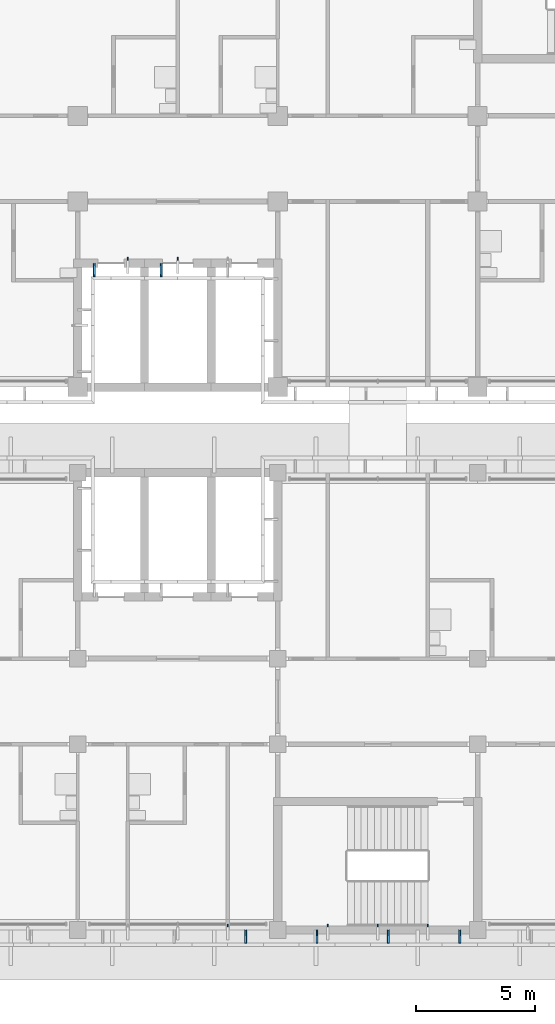
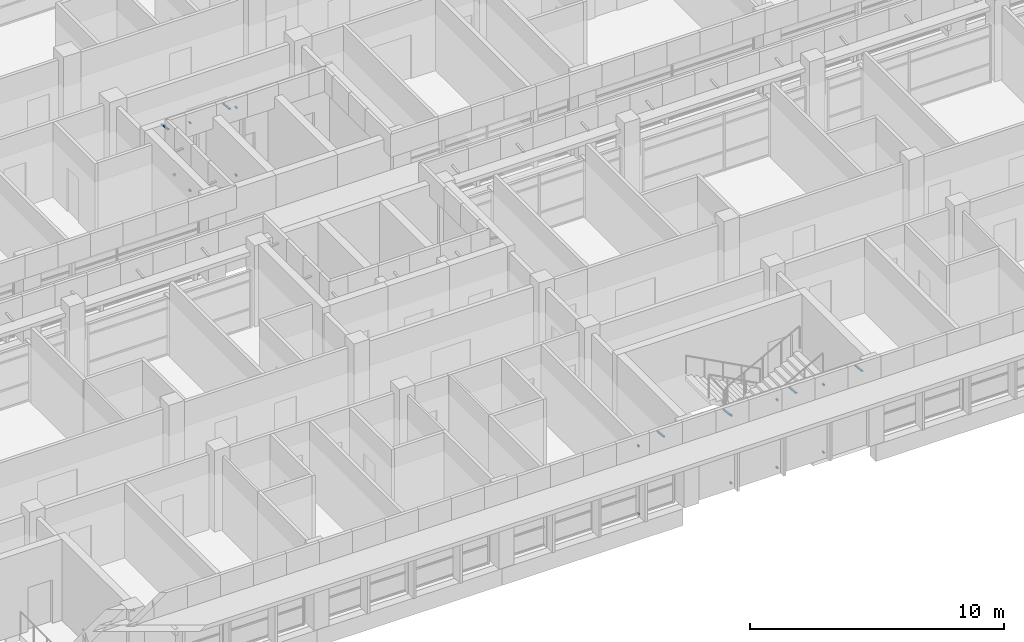
# One storey, part 45 of 71: 18 discrete accessories.
"""IFC4 building model written with IfcOpenShell, lengths in metres."""

import ifcopenshell
import ifcopenshell.guid

model = None  # the IFC model being written
_history = None  # IfcOwnerHistory: only IFC2X3 demands one
_inside = {}  # id of a spatial element -> (the spatial element, [elements in it])
_under = {}  # id of a project, library or spatial element -> (it, [spatial elements below it])
_declared = {}  # id of a project -> (the project, [libraries it declares])
_typed = {}  # id of a type object -> (the type object, [elements of that type])
_made_of = {}  # id of a material, layer set ... -> (it, [elements and type objects made of it])


def new_model(schema):
    """Start an empty IFC model of exactly this schema.

    Asked for "IFC4X3", IfcOpenShell would pick the latest addendum, in which some entities
    have other attributes; the version numbers below select the first issue.
    IFC2X3 requires an IfcOwnerHistory on every rooted entity: one is made here for all.
    """
    global model, _history
    if schema == "IFC4X3":
        model = ifcopenshell.file(schema_version=(4, 3, 0, 0))
    else:
        model = ifcopenshell.file(schema=schema)
    _inside.clear()
    _under.clear()
    _declared.clear()
    _typed.clear()
    _made_of.clear()
    _history = None
    if model.schema == "IFC2X3":
        org = make("IfcOrganization", Name="unknown")
        user = make(
            "IfcPersonAndOrganization",
            ThePerson=make("IfcPerson", FamilyName="unknown"),
            TheOrganization=org,
        )
        app = make(
            "IfcApplication",
            ApplicationDeveloper=org,
            Version="unknown",
            ApplicationFullName="unknown",
            ApplicationIdentifier="unknown",
        )
        _history = make(
            "IfcOwnerHistory",
            OwningUser=user,
            OwningApplication=app,
            ChangeAction="ADDED",
            CreationDate=0,
        )
    return model


def make(cls, **values):
    """One entity of the class cls with the attributes given. An attribute that is None is left unset."""
    return model.create_entity(
        cls, **{name: value for name, value in values.items() if value is not None}
    )


def rooted(cls, **values):
    """An entity with a GlobalId (a new one), such as an element, a storey or a relation."""
    return make(cls, GlobalId=ifcopenshell.guid.new(), OwnerHistory=_history, **values)


def si_unit(unit_type, name, prefix=None):
    """IfcSIUnit, for example si_unit("LENGTHUNIT", "METRE", prefix="MILLI")."""
    return make("IfcSIUnit", UnitType=unit_type, Prefix=prefix, Name=name)


def assignment(units):
    """IfcUnitAssignment: the units of a project."""
    return None if units is None else make("IfcUnitAssignment", Units=units)


def point(xyz):
    """IfcCartesianPoint."""
    return None if xyz is None else make("IfcCartesianPoint", Coordinates=xyz)


def direction(xyz):
    """IfcDirection."""
    return None if xyz is None else make("IfcDirection", DirectionRatios=xyz)


def frame(location, z_axis=None, x_axis=None):
    """IfcAxis2Placement3D, a coordinate frame: its origin and axes. An axis left out is left unset."""
    return make(
        "IfcAxis2Placement3D",
        Location=point(location),
        Axis=direction(z_axis),
        RefDirection=direction(x_axis),
    )


def frame_2d(location, x_axis=None):
    """IfcAxis2Placement2D, a coordinate frame in the plane: its origin and x axis."""
    return make(
        "IfcAxis2Placement2D", Location=point(location), RefDirection=direction(x_axis)
    )


def origin():
    """The frame at (0, 0, 0) with its axes left unset."""
    return frame((0.0, 0.0, 0.0))


def origin_2d():
    """The frame at (0, 0) in the plane with its x axis left unset."""
    return frame_2d((0.0, 0.0))


def place(relative_to, where):
    """IfcLocalPlacement: puts the frame where relative to a parent placement (None: the world)."""
    return make(
        "IfcLocalPlacement", PlacementRelTo=relative_to, RelativePlacement=where
    )


def context(
    kind, dimensions, precision=None, world=None, true_north=None, identifier=None
):
    """IfcGeometricRepresentationContext, for example the 3D "Model" context."""
    return make(
        "IfcGeometricRepresentationContext",
        ContextIdentifier=identifier,
        ContextType=kind,
        CoordinateSpaceDimension=dimensions,
        Precision=precision,
        WorldCoordinateSystem=world,
        TrueNorth=true_north,
    )


def subcontext(parent, identifier, kind, view, scale=None):
    """IfcGeometricRepresentationSubContext, for example "Body" below "Model"."""
    return make(
        "IfcGeometricRepresentationSubContext",
        ContextIdentifier=identifier,
        ContextType=kind,
        ParentContext=parent,
        TargetScale=scale,
        TargetView=view,
    )


def project(units=None, contexts=None):
    """IfcProject with its units and contexts."""
    return rooted(
        "IfcProject",
        Name="project",
        RepresentationContexts=contexts,
        UnitsInContext=assignment(units),
    )


def spatial(cls, under=None, at=None, **own):
    """A site, building, storey or space (cls), placed at a placement, below another one or the project."""
    s = rooted(cls, ObjectPlacement=at, **own)
    if under is not None:
        _under.setdefault(under.id(), (under, []))[1].append(s)
    return s


def profile(cls, at=None, kind="AREA", **sizes):
    """A parametric profile (cls). Its sizes go by their IFC names, for example OverallWidth=200.0."""
    return make(cls, ProfileType=kind, Position=at, **sizes)


def rectangle(**sizes):
    """IfcRectangleProfileDef."""
    return profile("IfcRectangleProfileDef", **sizes)


def extrude(swept, where, along, depth):
    """IfcExtrudedAreaSolid: the profile swept, set in the frame where, extruded along a direction by depth."""
    return make(
        "IfcExtrudedAreaSolid",
        SweptArea=swept,
        Position=where,
        ExtrudedDirection=direction(along),
        Depth=depth,
    )


def shape(context_of_items, identifier, shape_type, items):
    """IfcShapeRepresentation: the items that make up one representation, for example the "Body"."""
    return make(
        "IfcShapeRepresentation",
        ContextOfItems=context_of_items,
        RepresentationIdentifier=identifier,
        RepresentationType=shape_type,
        Items=items,
    )


def material(Name=None, Category=None):
    """IfcMaterial."""
    return make("IfcMaterial", Name=Name, Category=Category)


def material_profile(
    of_material, cross_section, Name=None, Category=None, Priority=None
):
    """IfcMaterialProfile: a cross section and its material."""
    return make(
        "IfcMaterialProfile",
        Name=Name,
        Material=of_material,
        Profile=cross_section,
        Priority=Priority,
        Category=Category,
    )


def profile_set(profiles, Name=None, composite=None):
    """IfcMaterialProfileSet."""
    return make(
        "IfcMaterialProfileSet",
        Name=Name,
        MaterialProfiles=profiles,
        CompositeProfile=composite,
    )


def made_of(thing, what):
    """Note that an element or type object is made of a material, layer set ...; save() writes the relation."""
    if what is not None:
        _made_of.setdefault(what.id(), (what, []))[1].append(thing)
    return thing


def type_object(cls, material=None, **own):
    """A type object (cls), such as IfcWallType, which elements share."""
    return made_of(rooted(cls, **own), material)


def element(
    cls,
    number,
    at=None,
    inside=None,
    cuts=None,
    type_object=None,
    material=None,
    context=None,
    identifier="Body",
    shape_type=None,
    held_by="IfcProductDefinitionShape",
    body=None,
    shapes=None,
    **own,
):
    """One element of the class cls, such as IfcWall. Its Tag is "e" and its number.

    at: its placement. inside: the storey or other place that contains it. cuts: it is an
    opening in that element (IfcRelVoidsElement). A single representation is given by context,
    identifier, shape_type and body (its items); several are given by shapes. held_by: the class
    of the entity that holds the representations. save() writes the other relations.
    """
    e = rooted(cls, Tag="e%d" % number, ObjectPlacement=at, **own)
    if body is not None:
        shapes = [shape(context, identifier, shape_type, body)]
    if shapes is not None:
        e.Representation = make(held_by, Representations=shapes)
    if inside is not None:
        _inside.setdefault(inside.id(), (inside, []))[1].append(e)
    if cuts is not None:
        rooted(
            "IfcRelVoidsElement", RelatingBuildingElement=cuts, RelatedOpeningElement=e
        )
    if type_object is not None:
        _typed.setdefault(type_object.id(), (type_object, []))[1].append(e)
    return made_of(e, material)


def aggregate(whole, parts):
    """IfcRelAggregates: a whole, such as a stair, and the parts it consists of."""
    return rooted("IfcRelAggregates", RelatingObject=whole, RelatedObjects=parts)


def save(model, path):
    """Write the relations noted so far, then the file.

    IfcRelAggregates (storeys below a building ...), IfcRelContainedInSpatialStructure (elements
    in a storey), IfcRelDefinesByType, IfcRelAssociatesMaterial and IfcRelDeclares: one each for
    every whole, place, type object, material and project.
    """
    for whole, parts in _under.values():
        aggregate(whole, parts)
    for where, things in _inside.values():
        rooted(
            "IfcRelContainedInSpatialStructure",
            RelatedElements=things,
            RelatingStructure=where,
        )
    for kind, things in _typed.values():
        rooted("IfcRelDefinesByType", RelatedObjects=things, RelatingType=kind)
    for what, things in _made_of.values():
        rooted("IfcRelAssociatesMaterial", RelatedObjects=things, RelatingMaterial=what)
    for by, libraries in _declared.values():
        rooted("IfcRelDeclares", RelatingContext=by, RelatedDefinitions=libraries)
    model.write(path)


model = new_model("IFC4")

# Units and contexts
model_context = context("Model", 3, precision=1e-05, world=origin(), true_north=direction((0.0, 1.0)))
body_context = subcontext(model_context, "Body", "Model", "MODEL_VIEW")
ifc_project = project(units=[si_unit("LENGTHUNIT", "METRE"), si_unit("AREAUNIT", "SQUARE_METRE"), si_unit("VOLUMEUNIT", "CUBIC_METRE"), si_unit("PLANEANGLEUNIT", "RADIAN"), si_unit("MASSUNIT", "GRAM", prefix="KILO")], contexts=[model_context])

# Site, building, storey
site_placement = place(None, origin())
site = spatial("IfcSite", under=ifc_project, at=site_placement, CompositionType="ELEMENT")
building_placement = place(site_placement, origin())
building = spatial("IfcBuilding", under=site, at=building_placement, Name="Bougainvillea Quay General Hospital", CompositionType="ELEMENT")
storey_placement = place(building_placement, frame((0.0, 0.0, 24.89990234375)))
storey = spatial("IfcBuildingStorey", under=building, at=storey_placement, Name="L05", CompositionType="ELEMENT", Elevation=24.89990234375)

# Discrete accessories
ifc_material = material(Name="Stainless steel bracket, grade 316", Category="steel")
discrete_accessory_type_1 = type_object("IfcDiscreteAccessoryType", Name="Stainless steel fin arm 60x80", PredefinedType="BRACKET", material=ifc_material)
for number, where, z_axis, x_axis, name in (
    (1, (71.39990234375, 145.7900390625, 0.0), (0.0, 0.0, 1.0), (0.0, -1.0, 0.0), "Fin arm V5A L05 04.2B"),
    (2, (71.39990234375, 145.7900390625, 3.25), (0.0, 0.0, 1.0), (0.0, -1.0, 0.0), "Fin arm V5A L05 04.2T"),
    (3, (69.300048828125, 145.7900390625, 0.0), (0.0, 0.0, 1.0), (0.0, -1.0, 0.0), "Fin arm V5A L05 04.3B"),
    (4, (69.300048828125, 145.7900390625, 3.25), (0.0, 0.0, 1.0), (0.0, -1.0, 0.0), "Fin arm V5A L05 04.3T"),
    (5, (81.89990234375, 117.7900390625, 0.0), (0.0, 0.0, 1.0), (0.0, -1.0, 0.0), "Fin arm V5B L05 01.31B"),
    (6, (81.89990234375, 117.7900390625, 3.25), (0.0, 0.0, 1.0), (0.0, -1.0, 0.0), "Fin arm V5B L05 01.31T"),
    (7, (79.800048828125, 117.7900390625, 0.0), (0.0, 0.0, 1.0), (0.0, -1.0, 0.0), "Fin arm V5B L05 01.32B"),
    (8, (79.800048828125, 117.7900390625, 3.25), (0.0, 0.0, 1.0), (0.0, -1.0, 0.0), "Fin arm V5B L05 01.32T"),
    (9, (77.699951171875, 117.7900390625, 0.0), (0.0, 0.0, 1.0), (0.0, -1.0, 0.0), "Fin arm V5B L05 01.33B"),
    (10, (77.699951171875, 117.7900390625, 3.25), (0.0, 0.0, 1.0), (0.0, -1.0, 0.0), "Fin arm V5B L05 01.33T"),
    (11, (73.5, 117.7900390625, 0.0), (0.0, 0.0, 1.0), (0.0, -1.0, 0.0), "Fin arm V5B L05 01.34B"),
    (12, (73.5, 117.7900390625, 3.25), (0.0, 0.0, 1.0), (0.0, -1.0, 0.0), "Fin arm V5B L05 01.34T"),
):
    element("IfcDiscreteAccessory", number, at=place(storey_placement, frame(where, z_axis=z_axis, x_axis=x_axis)), inside=storey, type_object=discrete_accessory_type_1, Name=name, PredefinedType="BRACKET", context=body_context, shape_type="SweptSolid", body=[
        extrude(rectangle(XDim=0.1201171875, YDim=0.06005859375, at=origin_2d()), origin(), (0.0, 0.0, 1.0), 0.080078125),
    ])
ifc_material_profile = material_profile(ifc_material, rectangle(XDim=0.080078125, YDim=0.050048828125, at=origin_2d()))
ifc_profile_set = profile_set([ifc_material_profile], Name="Stainless steel bracket, grade 316")
discrete_accessory_type_2 = type_object("IfcDiscreteAccessoryType", Name="Stainless steel stand-off bracket 80x50", PredefinedType="BRACKET", material=ifc_profile_set)
for number, where, z_axis, x_axis, name in (
    (13, (67.89990234375, 145.60009765625, 3.840087890625), (0.0, -0.994091793559, 0.108542645901), (1.0, 0.0, 0.0), "Fascia bracket e0 131"),
    (14, (70.699951171875, 145.60009765625, 3.840087890625), (0.0, -0.994091793559, 0.108542645901), (1.0, 0.0, 0.0), "Fascia bracket e0 133"),
    (15, (74.25, 117.60009765625, 3.840087890625), (0.0, -0.994091793559, 0.108542645901), (1.0, 0.0, 0.0), "Fascia bracket e0 35"),
    (16, (77.25, 117.60009765625, 3.840087890625), (0.0, -0.994091793559, 0.108542645901), (1.0, 0.0, 0.0), "Fascia bracket e0 37"),
    (17, (80.25, 117.60009765625, 3.840087890625), (0.0, -0.994091793559, 0.108542645901), (1.0, 0.0, 0.0), "Fascia bracket e0 39"),
    (18, (83.25, 117.60009765625, 3.840087890625), (0.0, -0.994091793559, 0.108542645901), (1.0, 0.0, 0.0), "Fascia bracket e0 41"),
):
    element("IfcDiscreteAccessory", number, at=place(storey_placement, frame(where, z_axis=z_axis, x_axis=x_axis)), inside=storey, type_object=discrete_accessory_type_2, Name=name, PredefinedType="BRACKET", context=body_context, shape_type="SweptSolid", body=[
        extrude(rectangle(XDim=0.080078125, YDim=0.050048828125, at=origin_2d()), origin(), (0.0, 0.0, 1.0), 0.55322265625),
    ])

save(model, "model.ifc")
